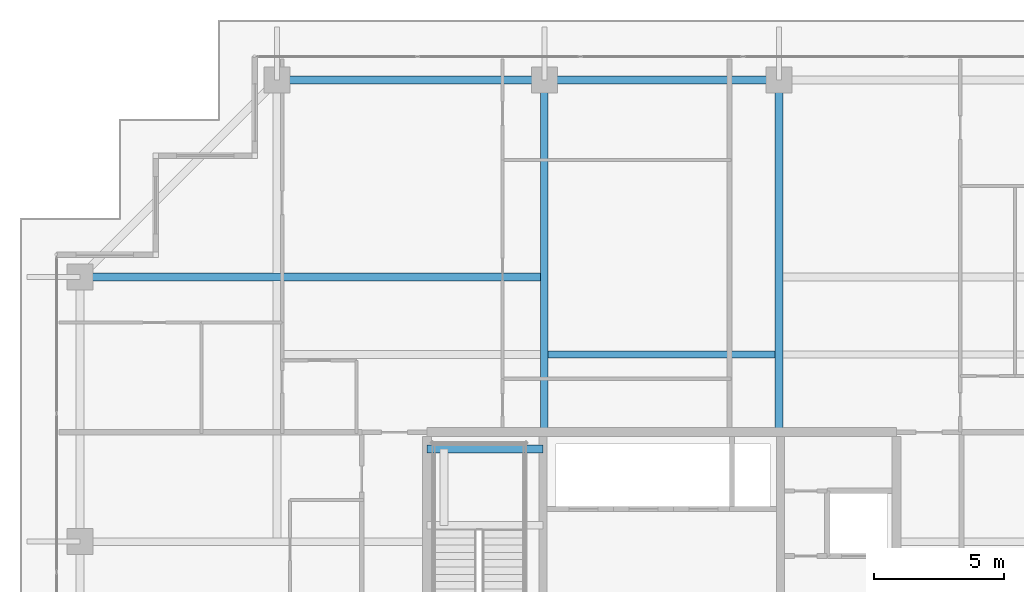
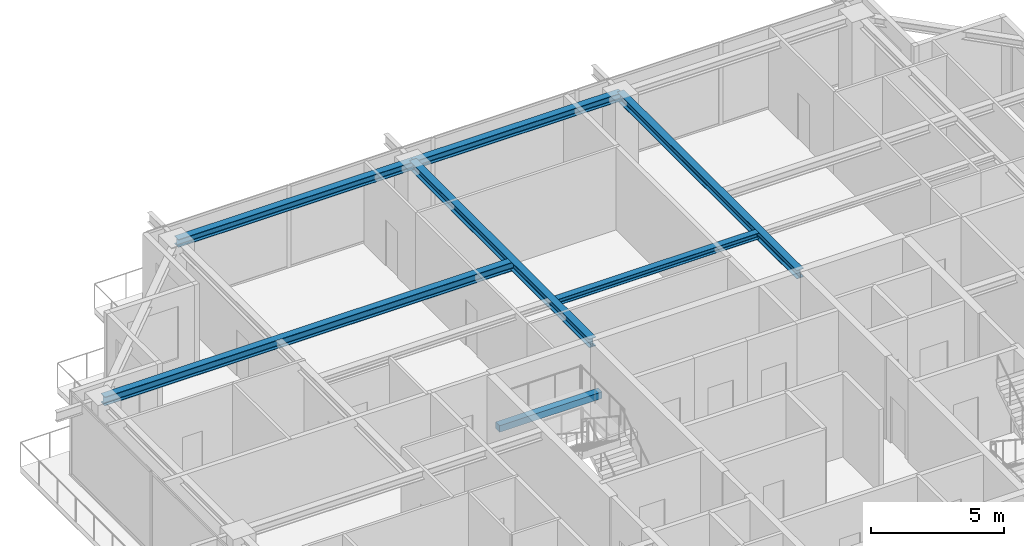
# One storey, part 22 of 42: 7 beams.
"""IFC4 building model written with IfcOpenShell, lengths in metres."""

from ifc_helpers import new_model, si_unit, direction, frame, origin, origin_2d, place, context, subcontext, project, spatial, rectangle, i_section, extrude, source, transform, mapped, material, material_profile, profile_set, type_object, element, save


model = new_model("IFC4")

# Units and contexts
model_context = context("Model", 3, precision=1e-05, world=origin(), true_north=direction((0.0, 1.0)))
body_context = subcontext(model_context, "Body", "Model", "MODEL_VIEW")
ifc_project = project(units=[si_unit("LENGTHUNIT", "METRE"), si_unit("AREAUNIT", "SQUARE_METRE"), si_unit("VOLUMEUNIT", "CUBIC_METRE"), si_unit("PLANEANGLEUNIT", "RADIAN"), si_unit("MASSUNIT", "GRAM", prefix="KILO")], contexts=[model_context])

# Site, building, storey
site_placement = place(None, origin())
site = spatial("IfcSite", under=ifc_project, at=site_placement, CompositionType="ELEMENT")
building_placement = place(site_placement, origin())
building = spatial("IfcBuilding", under=site, at=building_placement, Name="Serunith Strait Residences", CompositionType="ELEMENT")
storey_placement = place(building_placement, frame((0.0, 0.0, 293.449951171875)))
storey = spatial("IfcBuildingStorey", under=building, at=storey_placement, Name="L73", CompositionType="ELEMENT", Elevation=293.449951171875)

# Beams
ifc_material_1 = material(Name="Steel S355J2", Category="steel")
ifc_material_profile_1 = material_profile(ifc_material_1, i_section(OverallWidth=0.280029296875, OverallDepth=0.280029296875, WebThickness=0.010498046875, FlangeThickness=0.01806640625, FilletRadius=0.02392578125, at=origin_2d()), Name="HEB 280")
ifc_profile_set_1 = profile_set([ifc_material_profile_1], Name="Steel S355J2")
beam_type_1 = type_object("IfcBeamType", Name="BM-HEB280", PredefinedType="JOIST", material=ifc_profile_set_1)
shared_shape_1 = source(origin(), body_context, "Body", "SweptSolid", [
    extrude(i_section(OverallWidth=0.280029296875, OverallDepth=0.280029296875, WebThickness=0.010498046875, FlangeThickness=0.01806640625, FilletRadius=0.02392578125, at=origin_2d()), origin(), (0.0, 0.0, 1.0), 8.699951171875),
])
beam_1_placement = place(storey_placement, frame((28.050048828125, 36.574951171875, 3.64697265625), z_axis=(1.0, 0.0, 0.0), x_axis=(0.0, 1.0, 0.0)))
element("IfcBeam", 1, at=beam_1_placement, inside=storey, type_object=beam_type_1, Name="L73 Composite Floor Joist 05", PredefinedType="JOIST", context=body_context, shape_type="MappedRepresentation", body=[
    mapped(shared_shape_1, transform((0.0, 0.0, 0.0), scale=1.0)),
])
ifc_material_profile_2 = material_profile(ifc_material_1, i_section(OverallWidth=0.300048828125, OverallDepth=0.39990234375, WebThickness=0.013427734375, FlangeThickness=0.02392578125, FilletRadius=0.027099609375, at=origin_2d()), Name="HEB 400")
ifc_profile_set_2 = profile_set([ifc_material_profile_2], Name="Steel S355J2")
beam_type_2 = type_object("IfcBeamType", Name="BM-HEB400", PredefinedType="BEAM", material=ifc_profile_set_2)
shared_shape_2 = source(origin(), body_context, "Body", "SweptSolid", [
    extrude(i_section(OverallWidth=0.300048828125, OverallDepth=0.39990234375, WebThickness=0.013427734375, FlangeThickness=0.02392578125, FilletRadius=0.027099609375, at=origin_2d()), origin(), (0.0, 0.0, 1.0), 13.5),
])
for number, where, z_axis, x_axis, name in (
    (2, (27.89990234375, 33.60009765625, 3.587158203125), (0.0, 1.0, 0.0), (-1.0, 0.0, 0.0), "L73 Primary Floor Girder TC-N2"),
    (3, (36.89990234375, 33.60009765625, 3.587158203125), (0.0, 1.0, 0.0), (-1.0, 0.0, 0.0), "L73 Primary Floor Girder TC-N3"),
):
    element("IfcBeam", number, at=place(storey_placement, frame(where, z_axis=z_axis, x_axis=x_axis)), inside=storey, type_object=beam_type_2, Name=name, PredefinedType="BEAM", context=body_context, shape_type="MappedRepresentation", body=[
        mapped(shared_shape_2, transform((0.0, 0.0, 0.0), scale=1.0)),
    ])
shared_shape_3 = source(origin(), body_context, "Body", "SweptSolid", [
    extrude(i_section(OverallWidth=0.300048828125, OverallDepth=0.39990234375, WebThickness=0.013427734375, FlangeThickness=0.02392578125, FilletRadius=0.027099609375, at=origin_2d()), origin(), (0.0, 0.0, 1.0), 17.7998046875),
])
beam_2_placement = place(storey_placement, frame((27.89990234375, 39.550048828125, 3.587158203125), z_axis=(-1.0, 0.0, 0.0), x_axis=(0.0, -1.0, 0.0)))
element("IfcBeam", 4, at=beam_2_placement, inside=storey, type_object=beam_type_2, Name="L73 Orthogonal Corner Girder TC-W4", PredefinedType="BEAM", context=body_context, shape_type="MappedRepresentation", body=[
    mapped(shared_shape_3, transform((0.0, 0.0, 0.0), scale=1.0)),
])
ifc_material_profile_3 = material_profile(ifc_material_1, i_section(OverallWidth=0.300048828125, OverallDepth=0.360107421875, WebThickness=0.012451171875, FlangeThickness=0.0224609375, FilletRadius=0.027099609375, at=origin_2d()), Name="HEB 360")
ifc_profile_set_3 = profile_set([ifc_material_profile_3], Name="Steel S355J2")
beam_type_3 = type_object("IfcBeamType", Name="BM-HEB360", PredefinedType="BEAM", material=ifc_profile_set_3)
shared_shape_4 = source(origin(), body_context, "Body", "SweptSolid", [
    extrude(i_section(OverallWidth=0.300048828125, OverallDepth=0.360107421875, WebThickness=0.012451171875, FlangeThickness=0.0224609375, FilletRadius=0.027099609375, at=origin_2d()), origin(), (0.0, 0.0, 1.0), 10.25),
])
beam_3_placement = place(storey_placement, frame((27.89990234375, 47.10009765625, 3.60693359375), z_axis=(-1.0, 0.0, 0.0), x_axis=(0.0, -1.0, 0.0)))
element("IfcBeam", 5, at=beam_3_placement, inside=storey, type_object=beam_type_3, Name="L73 Perimeter Ring Beam 11", PredefinedType="BEAM", context=body_context, shape_type="MappedRepresentation", body=[
    mapped(shared_shape_4, transform((0.0, 0.0, 0.0), scale=1.0)),
])
shared_shape_5 = source(origin(), body_context, "Body", "SweptSolid", [
    extrude(i_section(OverallWidth=0.300048828125, OverallDepth=0.360107421875, WebThickness=0.012451171875, FlangeThickness=0.0224609375, FilletRadius=0.027099609375, at=origin_2d()), origin(), (0.0, 0.0, 1.0), 9.0),
])
beam_4_placement = place(storey_placement, frame((36.89990234375, 47.10009765625, 3.60693359375), z_axis=(-1.0, 0.0, 0.0), x_axis=(0.0, -1.0, 0.0)))
element("IfcBeam", 6, at=beam_4_placement, inside=storey, type_object=beam_type_3, Name="L73 Perimeter Ring Beam 10", PredefinedType="BEAM", context=body_context, shape_type="MappedRepresentation", body=[
    mapped(shared_shape_5, transform((0.0, 0.0, 0.0), scale=1.0)),
])
ifc_material_2 = material(Name="Concrete C60/75", Category="concrete")
ifc_material_profile_4 = material_profile(ifc_material_2, rectangle(XDim=0.300048828125, YDim=0.300048828125, at=origin_2d()), Name="RC 300x300")
ifc_profile_set_4 = profile_set([ifc_material_profile_4], Name="Concrete C60/75")
beam_type_4 = type_object("IfcBeamType", Name="BM-LAND-300x300", PredefinedType="BEAM", material=ifc_profile_set_4)
shared_shape_6 = source(origin(), body_context, "Body", "SweptSolid", [
    extrude(rectangle(XDim=0.300048828125, YDim=0.300048828125, at=origin_2d()), origin(), (0.0, 0.0, 1.0), 4.4501953125),
])
beam_5_placement = place(storey_placement, frame((23.39990234375, 32.949951171875, 1.675048828125), z_axis=(1.0, 0.0, 0.0), x_axis=(0.0, 1.0, 0.0)))
element("IfcBeam", 7, at=beam_5_placement, inside=storey, type_object=beam_type_4, Name="L73 ST-1 Landing Support Beam 2", PredefinedType="BEAM", context=body_context, shape_type="MappedRepresentation", body=[
    mapped(shared_shape_6, transform((0.0, 0.0, 0.0), scale=1.0)),
])

save(model, "model.ifc")
